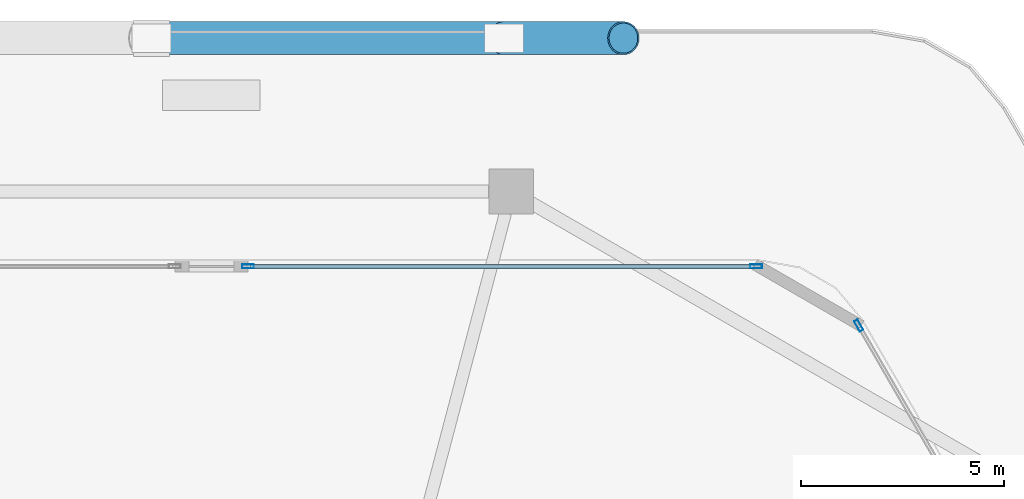
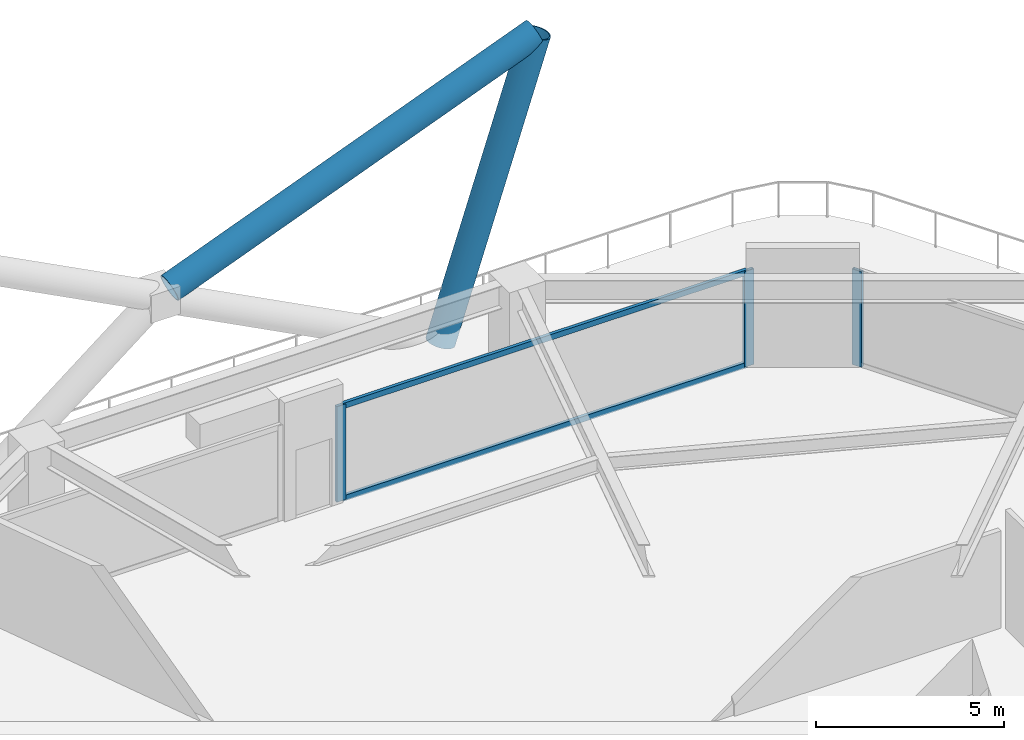
# One storey, part 20 of 28: 7 members, 2 elements without a shape of their own.
"""IFC4 building model written with IfcOpenShell, lengths in metres."""

from ifc_helpers import new_model, si_unit, direction, frame, origin, origin_2d, place, context, subcontext, project, spatial, hollow_rectangle, hollow_circle, extrude, material, material_profile, profile_set, type_object, element, aggregate, save


model = new_model("IFC4")

# Units and contexts
model_context = context("Model", 3, precision=1e-05, world=origin(), true_north=direction((0.0, 1.0)))
body_context = subcontext(model_context, "Body", "Model", "MODEL_VIEW")
ifc_project = project(units=[si_unit("LENGTHUNIT", "METRE"), si_unit("AREAUNIT", "SQUARE_METRE"), si_unit("VOLUMEUNIT", "CUBIC_METRE"), si_unit("PLANEANGLEUNIT", "RADIAN"), si_unit("MASSUNIT", "GRAM", prefix="KILO")], contexts=[model_context])

# Site, building, storey
site_placement = place(None, origin())
site = spatial("IfcSite", under=ifc_project, at=site_placement, CompositionType="ELEMENT")
building_placement = place(site_placement, origin())
building = spatial("IfcBuilding", under=site, at=building_placement, Name="Zuhravey Tower", CompositionType="ELEMENT")
storey_placement = place(building_placement, frame((0.0, 0.0, 83.39990234375)))
storey = spatial("IfcBuildingStorey", under=building, at=storey_placement, Name="L20", CompositionType="ELEMENT", Elevation=83.39990234375)

# Members
ifc_material_1 = material(Name="Steel SM460", Category="steel")
ifc_material_profile_1 = material_profile(ifc_material_1, hollow_circle(Radius=0.406494140625, WallThickness=0.035888671875, at=origin_2d()), Name="CHS-812.8x36")
ifc_profile_set_1 = profile_set([ifc_material_profile_1], Name="Steel SM460")
member_type_1 = type_object("IfcMemberType", Name="Exoskeleton Zone 1 Diagrid CHS813x36", PredefinedType="BRACE", material=ifc_profile_set_1)
member_1_placement = place(storey_placement, frame((43.201171875, 63.718505859375, -0.471923828125), z_axis=(0.309850554029, 0.0, 0.950785272376), x_axis=(0.0, 1.0, 0.0)))
element("IfcMember", 1, at=member_1_placement, inside=storey, type_object=member_type_1, Name="L20 Face 2 Diagrid Brace 1", PredefinedType="BRACE", context=body_context, shape_type="SweptSolid", body=[
    extrude(hollow_circle(Radius=0.406494140625, WallThickness=0.035888671875, at=origin_2d()), origin(), (0.0, 0.0, 1.0), 9.451171875),
])
member_2_placement = place(storey_placement, frame((34.89794921875, 63.718505859375, 4.164794921875), z_axis=(0.931989031417, 0.0, 0.362486476049), x_axis=(0.0, 1.0, 0.0)))
element("IfcMember", 2, at=member_2_placement, inside=storey, type_object=member_type_1, Name="L20 Face 2 Split Diagrid Brace 3B", PredefinedType="BRACE", context=body_context, shape_type="SweptSolid", body=[
    extrude(hollow_circle(Radius=0.406494140625, WallThickness=0.035888671875, at=origin_2d()), origin(), (0.0, 0.0, 1.0), 12.011474609375),
])

# Curtain wall, members
ifc_material_2 = material(Name="Thermally broken anodised aluminium", Category="aluminium")
curtain_wall_type = type_object("IfcCurtainWallType", Name="Sky-Playground Recessed Curtain Wall CW2", PredefinedType="NOTDEFINED", material=ifc_material_2)
curtain_wall_1_placement = place(storey_placement, origin())
curtain_wall_1 = element("IfcCurtainWall", 3, at=curtain_wall_1_placement, inside=storey, type_object=curtain_wall_type, Name="L20 CW2 CW-L20-F2-2", PredefinedType="NOTDEFINED")
ifc_material_3 = material(Name="Anodised aluminium", Category="aluminium")
ifc_material_profile_2 = material_profile(ifc_material_3, hollow_rectangle(XDim=0.10009765625, YDim=0.2900390625, WallThickness=0.006103515625, at=origin_2d()), Name="ALU-RHS-100x290x6")
ifc_profile_set_2 = profile_set([ifc_material_profile_2], Name="Anodised aluminium")
member_type_2 = type_object("IfcMemberType", Name="Heavy Tall-Storey Mullion 100x220", PredefinedType="MULLION", material=ifc_profile_set_2)
member_3_placement = place(storey_placement, frame((36.89990234375, 58.1083984375, 0.0), z_axis=(0.0, 0.0, 1.0), x_axis=(0.0, 1.0, 0.0)))
member_3 = element("IfcMember", 4, at=member_3_placement, type_object=member_type_2, Name="CW2 mullion 1", PredefinedType="MULLION", context=body_context, shape_type="SweptSolid", body=[
    extrude(hollow_rectangle(XDim=0.10009765625, YDim=0.2900390625, WallThickness=0.006103515625, at=origin_2d()), origin(), (0.0, 0.0, 1.0), 3.10009765625),
])
member_4_placement = place(storey_placement, frame((49.392578125, 58.1083984375, 0.0), z_axis=(0.0, 0.0, 1.0), x_axis=(0.0, 1.0, 0.0)))
member_4 = element("IfcMember", 5, at=member_4_placement, type_object=member_type_2, Name="CW2 mullion 2", PredefinedType="MULLION", context=body_context, shape_type="SweptSolid", body=[
    extrude(hollow_rectangle(XDim=0.10009765625, YDim=0.2900390625, WallThickness=0.006103515625, at=origin_2d()), origin(), (0.0, 0.0, 1.0), 3.10009765625),
])

# Curtain wall, member
curtain_wall_2_placement = place(storey_placement, origin())
curtain_wall_2 = element("IfcCurtainWall", 6, at=curtain_wall_2_placement, inside=storey, type_object=curtain_wall_type, Name="L20 CW2 CW-L20-F1-1", PredefinedType="NOTDEFINED")
member_5_placement = place(storey_placement, frame((51.914306640625, 56.652587890625, 0.0), z_axis=(0.0, 0.0, 1.0), x_axis=(0.866025967368, 0.499999023843, 0.0)))
member_5 = element("IfcMember", 7, at=member_5_placement, type_object=member_type_2, Name="CW2 mullion 1", PredefinedType="MULLION", context=body_context, shape_type="SweptSolid", body=[
    extrude(hollow_rectangle(XDim=0.10009765625, YDim=0.2900390625, WallThickness=0.006103515625, at=origin_2d()), origin(), (0.0, 0.0, 1.0), 3.10009765625),
])
aggregate(curtain_wall_2, [member_5])

# Member
ifc_material_profile_3 = material_profile(ifc_material_3, hollow_rectangle(XDim=0.10009765625, YDim=0.179931640625, WallThickness=0.006103515625, at=origin_2d()), Name="ALU-RHS-100x180x6")
ifc_profile_set_3 = profile_set([ifc_material_profile_3], Name="Anodised aluminium")
member_type_3 = type_object("IfcMemberType", Name="Tall-Storey Transom 100x180", PredefinedType="USERDEFINED", material=ifc_profile_set_3)
member_6_placement = place(storey_placement, frame((36.949951171875, 58.1083984375, 0.050048828125), z_axis=(1.0, 0.0, 0.0), x_axis=(0.0, 1.0, 0.0)))
member_6 = element("IfcMember", 8, at=member_6_placement, type_object=member_type_3, Name="CW2 transom 1.1", ObjectType="TRANSOM", PredefinedType="USERDEFINED", context=body_context, shape_type="SweptSolid", body=[
    extrude(hollow_rectangle(XDim=0.10009765625, YDim=0.179931640625, WallThickness=0.006103515625, at=origin_2d()), origin(), (0.0, 0.0, 1.0), 12.392822265625),
])

member_7_placement = place(storey_placement, frame((36.949951171875, 58.1083984375, 3.050048828125), z_axis=(1.0, 0.0, 0.0), x_axis=(0.0, 1.0, 0.0)))
member_7 = element("IfcMember", 9, at=member_7_placement, type_object=member_type_3, Name="CW2 transom 1.2", ObjectType="TRANSOM", PredefinedType="USERDEFINED", context=body_context, shape_type="SweptSolid", body=[
    extrude(hollow_rectangle(XDim=0.10009765625, YDim=0.179931640625, WallThickness=0.006103515625, at=origin_2d()), origin(), (0.0, 0.0, 1.0), 12.392822265625),
])

aggregate(curtain_wall_1, [member_3, member_4, member_6, member_7])

save(model, "model.ifc")
